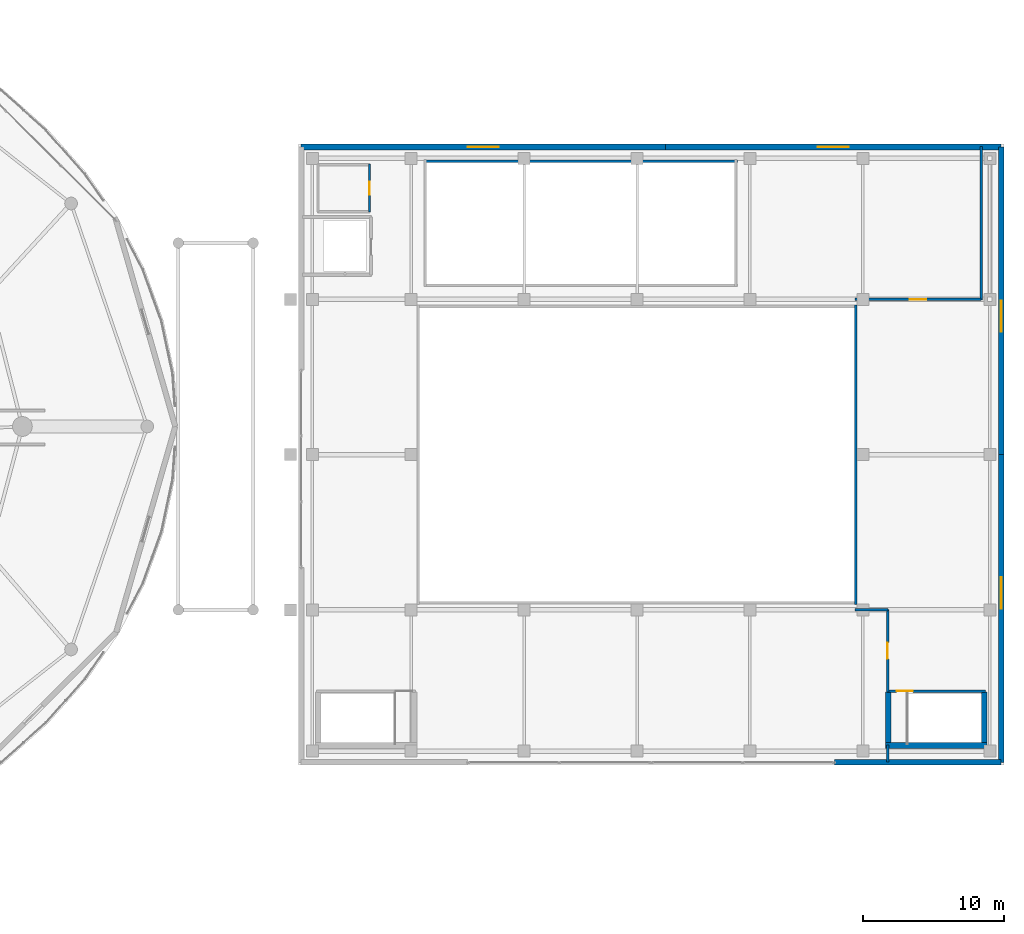
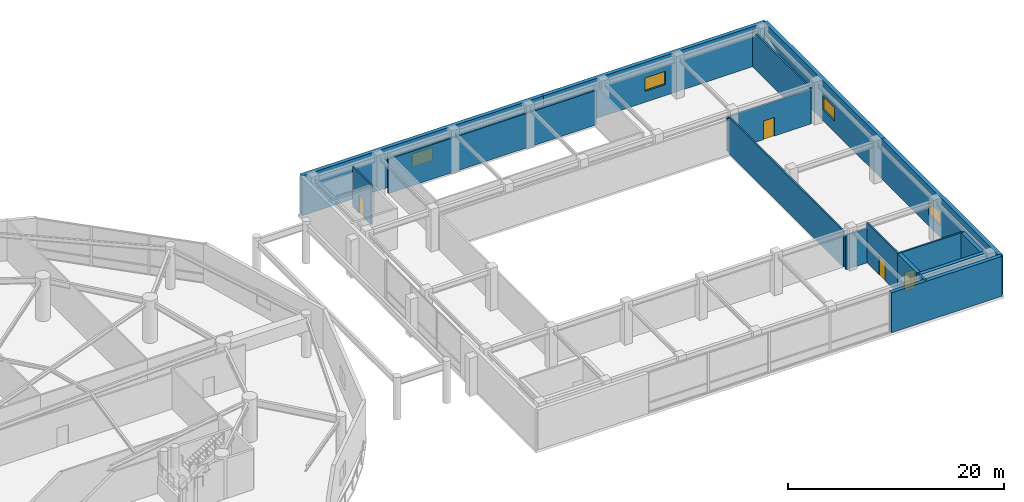
# One storey, part 31 of 36: 17 walls, 4 doors, 4 windows, 8 openings.
"""IFC4 building model written with IfcOpenShell, lengths in metres."""

from ifc_helpers import new_model, si_unit, direction, frame, frame_2d, origin, place, context, subcontext, project, spatial, rectangle, extrude, material, layer, layer_set, type_object, element, fill, save


model = new_model("IFC4")

# Units and contexts
model_context = context("Model", 3, precision=1e-05, world=origin(), true_north=direction((0.0, 1.0)))
body_context = subcontext(model_context, "Body", "Model", "MODEL_VIEW")
ifc_project = project(units=[si_unit("LENGTHUNIT", "METRE"), si_unit("AREAUNIT", "SQUARE_METRE"), si_unit("VOLUMEUNIT", "CUBIC_METRE"), si_unit("PLANEANGLEUNIT", "RADIAN"), si_unit("MASSUNIT", "GRAM", prefix="KILO")], contexts=[model_context])

# Site, building, storey
site_placement = place(None, origin())
site = spatial("IfcSite", under=ifc_project, at=site_placement, CompositionType="ELEMENT")
building_placement = place(site_placement, origin())
building = spatial("IfcBuilding", under=site, at=building_placement, Name="Kazevale Care Tower and Concert Hall", CompositionType="ELEMENT")
storey_placement = place(building_placement, frame((0.0, 0.0, 14.39990234375)))
storey = spatial("IfcBuildingStorey", under=building, at=storey_placement, Name="L03", CompositionType="ELEMENT", Elevation=14.39990234375)

# Wall
ifc_material_1 = material(Name="Concrete C40 with Honed Limestone Cladding", Category="masonry")
ifc_layer_1 = layer(ifc_material_1, 0.39990234375)
ifc_layer_set_1 = layer_set([ifc_layer_1], Name="Concrete C40 with Honed Limestone Cladding")
wall_type_1 = type_object("IfcWallType", Name="Concert Hall Acoustic Limestone Wall 400", PredefinedType="STANDARD", material=ifc_layer_set_1)
wall_1_placement = place(storey_placement, frame((134.0, 14.199951171875, 0.0), z_axis=(0.0, 0.0, 1.0), x_axis=(1.0, 0.0, 0.0)))
element("IfcWall", 1, at=wall_1_placement, inside=storey, type_object=wall_type_1, Name="wall:L03:hallew:S4", PredefinedType="STANDARD", context=body_context, shape_type="SweptSolid", body=[
    extrude(rectangle(XDim=11.800048828125, YDim=0.39990234375, at=frame_2d((5.89990234375, 0.0))), origin(), (0.0, 0.0, 1.0), 4.52001953125),
])

# Wall, opening, window
wall_2_placement = place(storey_placement, frame((145.800048828125, 14.199951171875, 0.0), z_axis=(0.0, 0.0, 1.0), x_axis=(0.0, 1.0, 0.0)))
wall_2 = element("IfcWall", 2, at=wall_2_placement, inside=storey, type_object=wall_type_1, Name="wall:L03:hallew:E1", PredefinedType="STANDARD", context=body_context, shape_type="SweptSolid", body=[
    extrude(rectangle(XDim=21.800048828125, YDim=0.39990234375, at=frame_2d((10.89990234375, 0.0))), origin(), (0.0, 0.0, 1.0), 4.52001953125),
])
opening_1_placement = place(wall_2_placement, frame((10.89990234375, 0.0, 1.25)))
opening_1 = element("IfcOpeningElement", 3, at=opening_1_placement, cuts=wall_2, Name="Opening WIN-3", PredefinedType="OPENING", context=body_context, shape_type="SweptSolid", body=[
    extrude(rectangle(XDim=2.199951171875, YDim=1.5, at=frame_2d((1.10009765625, 0.75))), frame((0.0, 0.2099609375, 0.0), z_axis=(0.0, -1.0, 0.0), x_axis=(1.0, 0.0, 0.0)), (0.0, 0.0, 1.0), 0.419921875),
])
ifc_material_2 = material(Name="Low-E Laminated Glass", Category="glass")
window_type = type_object("IfcWindowType", Name="Concert Hall Clerestory Window 2200x1500", PartitioningType="TRIPLE_PANEL_VERTICAL", PredefinedType="WINDOW", material=ifc_material_2)
window_1_placement = place(opening_1_placement, origin())
window_1 = element("IfcWindow", 4, at=window_1_placement, inside=storey, type_object=window_type, Name="win:L03:hall:E1", OverallHeight=1.5, OverallWidth=2.199951171875, PartitioningType="SINGLE_PANEL", PredefinedType="WINDOW", context=body_context, shape_type="SweptSolid", body=[
    extrude(rectangle(XDim=2.199951171875, YDim=1.5, at=frame_2d((1.10009765625, 0.75))), frame((0.0, 0.030029296875, 0.0), z_axis=(0.0, -1.0, 0.0), x_axis=(1.0, 0.0, 0.0)), (0.0, 0.0, 1.0), 0.06005859375),
])
fill(opening_1, window_1)

wall_3_placement = place(storey_placement, frame((145.800048828125, 36.0, 0.0), z_axis=(0.0, 0.0, 1.0), x_axis=(0.0, 1.0, 0.0)))
wall_3 = element("IfcWall", 5, at=wall_3_placement, inside=storey, type_object=wall_type_1, Name="wall:L03:hallew:E2", PredefinedType="STANDARD", context=body_context, shape_type="SweptSolid", body=[
    extrude(rectangle(XDim=21.800048828125, YDim=0.39990234375, at=frame_2d((10.89990234375, 0.0))), origin(), (0.0, 0.0, 1.0), 4.52001953125),
])
opening_2_placement = place(wall_3_placement, frame((8.699951171875, 0.0, 1.25)))
opening_2 = element("IfcOpeningElement", 6, at=opening_2_placement, cuts=wall_3, Name="Opening WIN-3", PredefinedType="OPENING", context=body_context, shape_type="SweptSolid", body=[
    extrude(rectangle(XDim=2.199951171875, YDim=1.5, at=frame_2d((1.10009765625, 0.75))), frame((0.0, 0.2099609375, 0.0), z_axis=(0.0, -1.0, 0.0), x_axis=(1.0, 0.0, 0.0)), (0.0, 0.0, 1.0), 0.419921875),
])
window_2_placement = place(opening_2_placement, origin())
window_2 = element("IfcWindow", 7, at=window_2_placement, inside=storey, type_object=window_type, Name="win:L03:hall:E2", OverallHeight=1.5, OverallWidth=2.199951171875, PartitioningType="SINGLE_PANEL", PredefinedType="WINDOW", context=body_context, shape_type="SweptSolid", body=[
    extrude(rectangle(XDim=2.199951171875, YDim=1.5, at=frame_2d((1.10009765625, 0.75))), frame((0.0, 0.030029296875, 0.0), z_axis=(0.0, -1.0, 0.0), x_axis=(1.0, 0.0, 0.0)), (0.0, 0.0, 1.0), 0.06005859375),
])
fill(opening_2, window_2)

wall_4_placement = place(storey_placement, frame((145.800048828125, 57.800048828125, 0.0), z_axis=(0.0, 0.0, 1.0), x_axis=(-1.0, 0.0, 0.0)))
wall_4 = element("IfcWall", 8, at=wall_4_placement, inside=storey, type_object=wall_type_1, Name="wall:L03:hallew:N1", PredefinedType="STANDARD", context=body_context, shape_type="SweptSolid", body=[
    extrude(rectangle(XDim=23.800048828125, YDim=0.39990234375, at=frame_2d((11.89990234375, 0.0))), origin(), (0.0, 0.0, 1.0), 4.52001953125),
])
opening_3_placement = place(wall_4_placement, frame((10.800048828125, 0.0, 1.25)))
opening_3 = element("IfcOpeningElement", 9, at=opening_3_placement, cuts=wall_4, Name="Opening WIN-3", PredefinedType="OPENING", context=body_context, shape_type="SweptSolid", body=[
    extrude(rectangle(XDim=2.199951171875, YDim=1.5, at=frame_2d((1.10009765625, 0.75))), frame((0.0, 0.2099609375, 0.0), z_axis=(0.0, -1.0, 0.0), x_axis=(1.0, 0.0, 0.0)), (0.0, 0.0, 1.0), 0.419921875),
])
window_3_placement = place(opening_3_placement, origin())
window_3 = element("IfcWindow", 10, at=window_3_placement, inside=storey, type_object=window_type, Name="win:L03:hall:N1", OverallHeight=1.5, OverallWidth=2.199951171875, PartitioningType="SINGLE_PANEL", PredefinedType="WINDOW", context=body_context, shape_type="SweptSolid", body=[
    extrude(rectangle(XDim=2.199951171875, YDim=1.5, at=frame_2d((1.10009765625, 0.75))), frame((0.0, 0.030029296875, 0.0), z_axis=(0.0, -1.0, 0.0), x_axis=(1.0, 0.0, 0.0)), (0.0, 0.0, 1.0), 0.06005859375),
])
fill(opening_3, window_3)

wall_5_placement = place(storey_placement, frame((122.0, 57.800048828125, 0.0), z_axis=(0.0, 0.0, 1.0), x_axis=(-1.0, 0.0, 0.0)))
wall_5 = element("IfcWall", 11, at=wall_5_placement, inside=storey, type_object=wall_type_1, Name="wall:L03:hallew:N2", PredefinedType="STANDARD", context=body_context, shape_type="SweptSolid", body=[
    extrude(rectangle(XDim=25.800048828125, YDim=0.39990234375, at=frame_2d((12.89990234375, 0.0))), origin(), (0.0, 0.0, 1.0), 4.52001953125),
])
opening_4_placement = place(wall_5_placement, frame((11.800048828125, 0.0, 1.25)))
opening_4 = element("IfcOpeningElement", 12, at=opening_4_placement, cuts=wall_5, Name="Opening WIN-3", PredefinedType="OPENING", context=body_context, shape_type="SweptSolid", body=[
    extrude(rectangle(XDim=2.199951171875, YDim=1.5, at=frame_2d((1.10009765625, 0.75))), frame((0.0, 0.2099609375, 0.0), z_axis=(0.0, -1.0, 0.0), x_axis=(1.0, 0.0, 0.0)), (0.0, 0.0, 1.0), 0.419921875),
])
window_4_placement = place(opening_4_placement, origin())
window_4 = element("IfcWindow", 13, at=window_4_placement, inside=storey, type_object=window_type, Name="win:L03:hall:N2", OverallHeight=1.5, OverallWidth=2.199951171875, PartitioningType="SINGLE_PANEL", PredefinedType="WINDOW", context=body_context, shape_type="SweptSolid", body=[
    extrude(rectangle(XDim=2.199951171875, YDim=1.5, at=frame_2d((1.10009765625, 0.75))), frame((0.0, 0.030029296875, 0.0), z_axis=(0.0, -1.0, 0.0), x_axis=(1.0, 0.0, 0.0)), (0.0, 0.0, 1.0), 0.06005859375),
])
fill(opening_4, window_4)

# Walls
ifc_material_3 = material(Name="Concrete C50", Category="concrete")
ifc_layer_2 = layer(ifc_material_3, 0.39990234375)
ifc_layer_set_2 = layer_set([ifc_layer_2], Name="Concrete C50")
wall_type_2 = type_object("IfcWallType", Name="Concert Hall Shear Core Wall 400 C50", PredefinedType="SHEAR", material=ifc_layer_set_2)
wall_6_placement = place(storey_placement, frame((137.60009765625, 15.39990234375, 0.0), z_axis=(0.0, 0.0, 1.0), x_axis=(1.0, 0.0, 0.0)))
element("IfcWall", 14, at=wall_6_placement, inside=storey, type_object=wall_type_2, Name="wall:L03:ST5:S", PredefinedType="SHEAR", context=body_context, shape_type="SweptSolid", body=[
    extrude(rectangle(XDim=7.199951171875, YDim=0.39990234375, at=frame_2d((3.60009765625, 0.0))), origin(), (0.0, 0.0, 1.0), 4.52001953125),
])
for number, where, z_axis, x_axis, name in (
    (15, (137.800048828125, 15.60009765625, 0.0), (0.0, 0.0, 1.0), (0.0, 1.0, 0.0), "wall:L03:ST5:W"),
    (16, (144.60009765625, 15.60009765625, 0.0), (0.0, 0.0, 1.0), (0.0, 1.0, 0.0), "wall:L03:ST5:E"),
):
    element("IfcWall", number, at=place(storey_placement, frame(where, z_axis=z_axis, x_axis=x_axis)), inside=storey, type_object=wall_type_2, Name=name, PredefinedType="SHEAR", context=body_context, shape_type="SweptSolid", body=[
        extrude(rectangle(XDim=3.599853515625, YDim=0.39990234375, at=frame_2d((1.7998046875, 0.0))), origin(), (0.0, 0.0, 1.0), 4.52001953125),
    ])

# Wall, opening, door
ifc_material_4 = material(Name="Concrete C40 and Acoustic Gypsum", Category="concrete")
ifc_layer_3 = layer(ifc_material_4, 0.179931640625)
ifc_layer_set_3 = layer_set([ifc_layer_3], Name="Concrete C40 and Acoustic Gypsum")
wall_type_3 = type_object("IfcWallType", Name="Fire-Rated Corridor & Party Wall 180", PredefinedType="PARTITIONING", material=ifc_layer_set_3)
wall_7_placement = place(storey_placement, frame((137.699951171875, 19.25, 0.0), z_axis=(0.0, 0.0, 1.0), x_axis=(1.0, 0.0, 0.0)))
wall_7 = element("IfcWall", 17, at=wall_7_placement, inside=storey, type_object=wall_type_3, Name="wall:L03:hall_st5_n", PredefinedType="PARTITIONING", context=body_context, shape_type="SweptSolid", body=[
    extrude(rectangle(XDim=7.0, YDim=0.179931640625, at=frame_2d((3.5, 0.0))), origin(), (0.0, 0.0, 1.0), 4.52001953125),
])
opening_5_placement = place(wall_7_placement, frame((0.68505859375, 0.0, 0.0)))
opening_5 = element("IfcOpeningElement", 18, at=opening_5_placement, cuts=wall_7, Name="Opening FD-90", PredefinedType="OPENING", context=body_context, shape_type="SweptSolid", body=[
    extrude(rectangle(XDim=1.14990234375, YDim=2.10009765625, at=frame_2d((0.574951171875, 1.050048828125))), frame((0.0, 0.099853515625, 0.0), z_axis=(0.0, -1.0, 0.0), x_axis=(1.0, 0.0, 0.0)), (0.0, 0.0, 1.0), 0.199951171875),
])
ifc_material_5 = material(Name="Steel ASTM A572 Gr 50", Category="steel")
door_type_1 = type_object("IfcDoorType", Name="Pressurized Stair & Lobby Fire Door 1150x2100", OperationType="NOTDEFINED", PredefinedType="DOOR", material=ifc_material_5)
door_1_placement = place(opening_5_placement, origin())
door_1 = element("IfcDoor", 19, at=door_1_placement, inside=storey, type_object=door_type_1, Name="door:L03:hst5", OperationType="SINGLE_SWING_LEFT", OverallHeight=2.10009765625, OverallWidth=1.14990234375, PredefinedType="DOOR", context=body_context, shape_type="SweptSolid", body=[
    extrude(rectangle(XDim=1.14990234375, YDim=2.10009765625, at=frame_2d((0.574951171875, 1.050048828125))), frame((0.0, 0.02490234375, 0.0), z_axis=(0.0, -1.0, 0.0), x_axis=(1.0, 0.0, 0.0)), (0.0, 0.0, 1.0), 0.050048828125),
])
fill(opening_5, door_1)

# Walls
wall_8_placement = place(storey_placement, frame((135.5, 25.39990234375, 0.0), z_axis=(0.0, 0.0, 1.0), x_axis=(0.0, 1.0, 0.0)))
element("IfcWall", 20, at=wall_8_placement, inside=storey, type_object=wall_type_3, Name="wall:L03:hvoid_e", PredefinedType="PARTITIONING", context=body_context, shape_type="SweptSolid", body=[
    extrude(rectangle(XDim=21.2001953125, YDim=0.179931640625, at=frame_2d((10.60009765625, 0.0))), origin(), (0.0, 0.0, 1.0), 4.093017578125),
])
wall_9_placement = place(storey_placement, frame((104.89990234375, 56.800048828125, 0.0), z_axis=(0.0, 0.0, 1.0), x_axis=(1.0, 0.0, 0.0)))
element("IfcWall", 21, at=wall_9_placement, inside=storey, type_object=wall_type_3, Name="wall:L03:cvoid_n", PredefinedType="PARTITIONING", context=body_context, shape_type="SweptSolid", body=[
    extrude(rectangle(XDim=22.2001953125, YDim=0.179931640625, at=frame_2d((11.10009765625, 0.0))), origin(), (0.0, 0.0, 1.0), 3.899169921875),
])
wall_10_placement = place(storey_placement, frame((144.3798828125, 46.949951171875, 0.0), z_axis=(0.0, 0.0, 1.0), x_axis=(0.0, 1.0, 0.0)))
element("IfcWall", 22, at=wall_10_placement, inside=storey, type_object=wall_type_3, Name="wall:L03:hbrace_chase_e", PredefinedType="PARTITIONING", context=body_context, shape_type="SweptSolid", body=[
    extrude(rectangle(XDim=10.900146484375, YDim=0.179931640625, at=frame_2d((5.4501953125, 0.0))), origin(), (0.0, 0.0, 1.0), 4.093017578125),
])

# Wall, opening, door
wall_11_placement = place(storey_placement, frame((137.75, 25.030029296875, 0.0), z_axis=(0.0, 0.0, 1.0), x_axis=(0.0, -1.0, 0.0)))
wall_11 = element("IfcWall", 23, at=wall_11_placement, inside=storey, type_object=wall_type_3, Name="wall:L03:auto_026", PredefinedType="PARTITIONING", context=body_context, shape_type="SweptSolid", body=[
    extrude(rectangle(XDim=5.844970703125, YDim=0.179931640625, at=frame_2d((2.92236328125, 0.0))), origin(), (0.0, 0.0, 1.0), 4.52001953125),
])
opening_6_placement = place(wall_11_placement, frame((2.347900390625, 0.0, 0.0)))
opening_6 = element("IfcOpeningElement", 24, at=opening_6_placement, cuts=wall_11, Name="Opening FD-90", PredefinedType="OPENING", context=body_context, shape_type="SweptSolid", body=[
    extrude(rectangle(XDim=1.14990234375, YDim=2.10009765625, at=frame_2d((0.574951171875, 1.050048828125))), frame((0.0, 0.099853515625, 0.0), z_axis=(0.0, -1.0, 0.0), x_axis=(1.0, 0.0, 0.0)), (0.0, 0.0, 1.0), 0.199951171875),
])
door_2_placement = place(opening_6_placement, origin())
door_2 = element("IfcDoor", 25, at=door_2_placement, inside=storey, type_object=door_type_1, Name="door:L03:ad_026", OperationType="SINGLE_SWING_LEFT", OverallHeight=2.10009765625, OverallWidth=1.14990234375, PredefinedType="DOOR", context=body_context, shape_type="SweptSolid", body=[
    extrude(rectangle(XDim=1.14990234375, YDim=2.10009765625, at=frame_2d((0.574951171875, 1.050048828125))), frame((0.0, 0.02490234375, 0.0), z_axis=(0.0, -1.0, 0.0), x_axis=(1.0, 0.0, 0.0)), (0.0, 0.0, 1.0), 0.050048828125),
])
fill(opening_6, door_2)

# Walls
wall_12_placement = place(storey_placement, frame((135.43505859375, 25.0, 0.0), z_axis=(0.0, 0.0, 1.0), x_axis=(1.0, 0.0, 0.0)))
element("IfcWall", 26, at=wall_12_placement, inside=storey, type_object=wall_type_3, Name="wall:L03:auto_027", PredefinedType="PARTITIONING", context=body_context, shape_type="SweptSolid", body=[
    extrude(rectangle(XDim=2.344970703125, YDim=0.179931640625, at=frame_2d((1.17236328125, 0.0))), origin(), (0.0, 0.0, 1.0), 3.899169921875),
])
wall_13_placement = place(storey_placement, frame((137.75, 15.4150390625, 0.0), z_axis=(0.0, 0.0, 1.0), x_axis=(0.0, -1.0, 0.0)))
element("IfcWall", 27, at=wall_13_placement, inside=storey, type_object=wall_type_3, Name="wall:L03:auto_028", PredefinedType="PARTITIONING", context=body_context, shape_type="SweptSolid", body=[
    extrude(rectangle(XDim=1.205078125, YDim=0.179931640625, at=frame_2d((0.6025390625, 0.0))), origin(), (0.0, 0.0, 1.0), 4.52001953125),
])

# Wall, opening, door
wall_14_placement = place(storey_placement, frame((144.3798828125, 47.0, 0.0), z_axis=(0.0, 0.0, 1.0), x_axis=(-1.0, 0.0, 0.0)))
wall_14 = element("IfcWall", 28, at=wall_14_placement, inside=storey, type_object=wall_type_3, Name="wall:L03:auto_029", PredefinedType="PARTITIONING", context=body_context, shape_type="SweptSolid", body=[
    extrude(rectangle(XDim=8.94482421875, YDim=0.179931640625, at=frame_2d((4.472412109375, 0.0))), origin(), (0.0, 0.0, 1.0), 3.899169921875),
])
opening_7_placement = place(wall_14_placement, frame((3.89697265625, 0.0, 0.0)))
opening_7 = element("IfcOpeningElement", 29, at=opening_7_placement, cuts=wall_14, Name="Opening FD-90", PredefinedType="OPENING", context=body_context, shape_type="SweptSolid", body=[
    extrude(rectangle(XDim=1.14990234375, YDim=2.10009765625, at=frame_2d((0.574951171875, 1.050048828125))), frame((0.0, 0.099853515625, 0.0), z_axis=(0.0, -1.0, 0.0), x_axis=(1.0, 0.0, 0.0)), (0.0, 0.0, 1.0), 0.199951171875),
])
door_3_placement = place(opening_7_placement, origin())
door_3 = element("IfcDoor", 30, at=door_3_placement, inside=storey, type_object=door_type_1, Name="door:L03:ad_029", OperationType="SINGLE_SWING_LEFT", OverallHeight=2.10009765625, OverallWidth=1.14990234375, PredefinedType="DOOR", context=body_context, shape_type="SweptSolid", body=[
    extrude(rectangle(XDim=1.14990234375, YDim=2.10009765625, at=frame_2d((0.574951171875, 1.050048828125))), frame((0.0, 0.02490234375, 0.0), z_axis=(0.0, -1.0, 0.0), x_axis=(1.0, 0.0, 0.0)), (0.0, 0.0, 1.0), 0.050048828125),
])
fill(opening_7, door_3)

ifc_material_6 = material(Name="Acoustic Gypsum on Steel Stud", Category="steel")
ifc_layer_4 = layer(ifc_material_6, 0.159912109375)
ifc_layer_set_4 = layer_set([ifc_layer_4], Name="Acoustic Gypsum on Steel Stud")
wall_type_4 = type_object("IfcWallType", Name="Moisture-Resistant Bathroom Plumbing Wall 160", PredefinedType="PLUMBINGWALL", material=ifc_layer_set_4)
wall_15_placement = place(storey_placement, frame((101.050048828125, 53.179931640625, 0.0), z_axis=(0.0, 0.0, 1.0), x_axis=(0.0, 1.0, 0.0)))
wall_15 = element("IfcWall", 31, at=wall_15_placement, inside=storey, type_object=wall_type_4, Name="wall:L03:hall_wc_we", PredefinedType="PLUMBINGWALL", context=body_context, shape_type="SweptSolid", body=[
    extrude(rectangle(XDim=3.41015625, YDim=0.159912109375, at=frame_2d((1.705078125, 0.0))), origin(), (0.0, 0.0, 1.0), 4.52001953125),
])
opening_8_placement = place(wall_15_placement, frame((1.2548828125, 0.0, 0.0)))
opening_8 = element("IfcOpeningElement", 32, at=opening_8_placement, cuts=wall_15, Name="Opening ID-900", PredefinedType="OPENING", context=body_context, shape_type="SweptSolid", body=[
    extrude(rectangle(XDim=0.919921875, YDim=2.10009765625, at=frame_2d((0.4599609375, 1.050048828125))), frame((0.0, 0.08984375, 0.0), z_axis=(0.0, -1.0, 0.0), x_axis=(1.0, 0.0, 0.0)), (0.0, 0.0, 1.0), 0.179931640625),
])
ifc_material_7 = material(Name="Oak Timber Fire Leaf", Category="wood")
door_type_2 = type_object("IfcDoorType", Name="Bathroom & Service Door 920x2100", OperationType="NOTDEFINED", PredefinedType="DOOR", material=ifc_material_7)
door_4_placement = place(opening_8_placement, origin())
door_4 = element("IfcDoor", 33, at=door_4_placement, inside=storey, type_object=door_type_2, Name="door:L03:hall_wc_d", OperationType="SINGLE_SWING_LEFT", OverallHeight=2.10009765625, OverallWidth=0.919921875, PredefinedType="DOOR", context=body_context, shape_type="SweptSolid", body=[
    extrude(rectangle(XDim=0.919921875, YDim=2.10009765625, at=frame_2d((0.4599609375, 1.050048828125))), frame((0.0, 0.02490234375, 0.0), z_axis=(0.0, -1.0, 0.0), x_axis=(1.0, 0.0, 0.0)), (0.0, 0.0, 1.0), 0.050048828125),
])
fill(opening_8, door_4)

save(model, "model.ifc")
